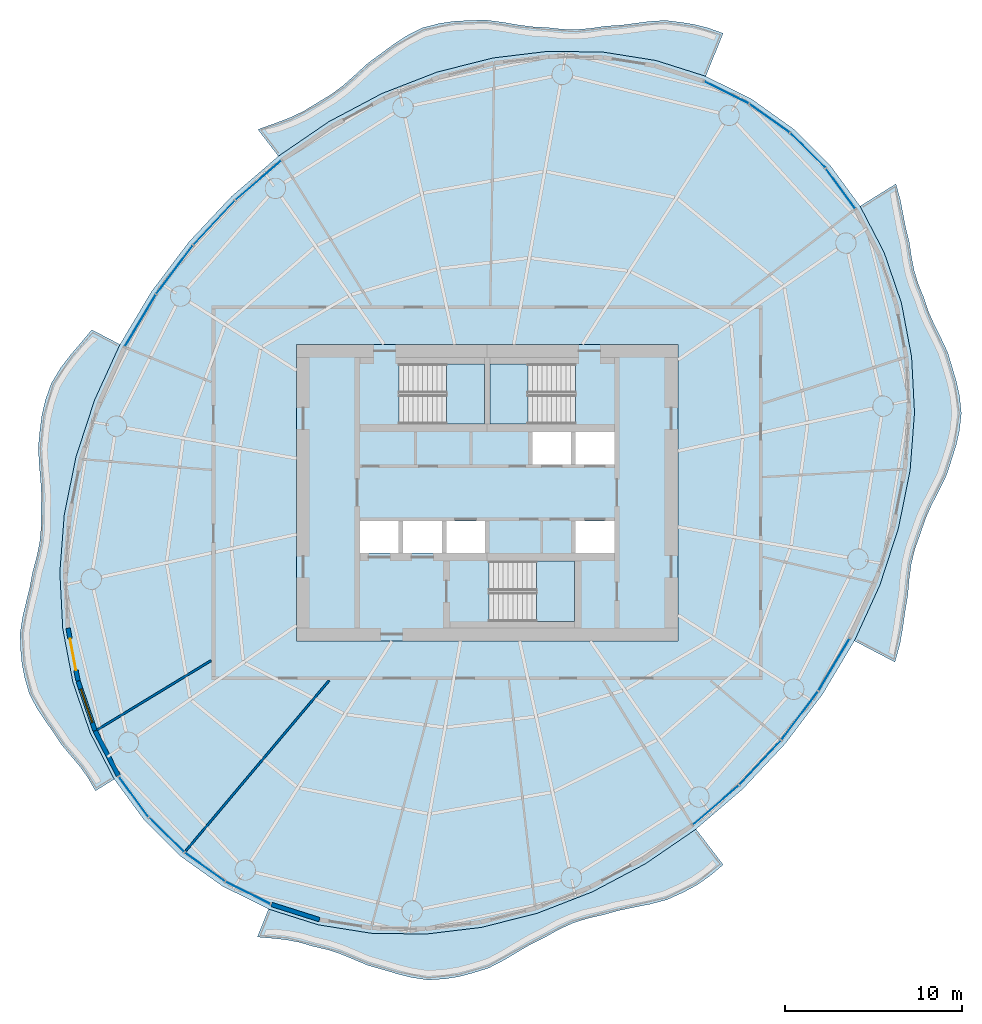
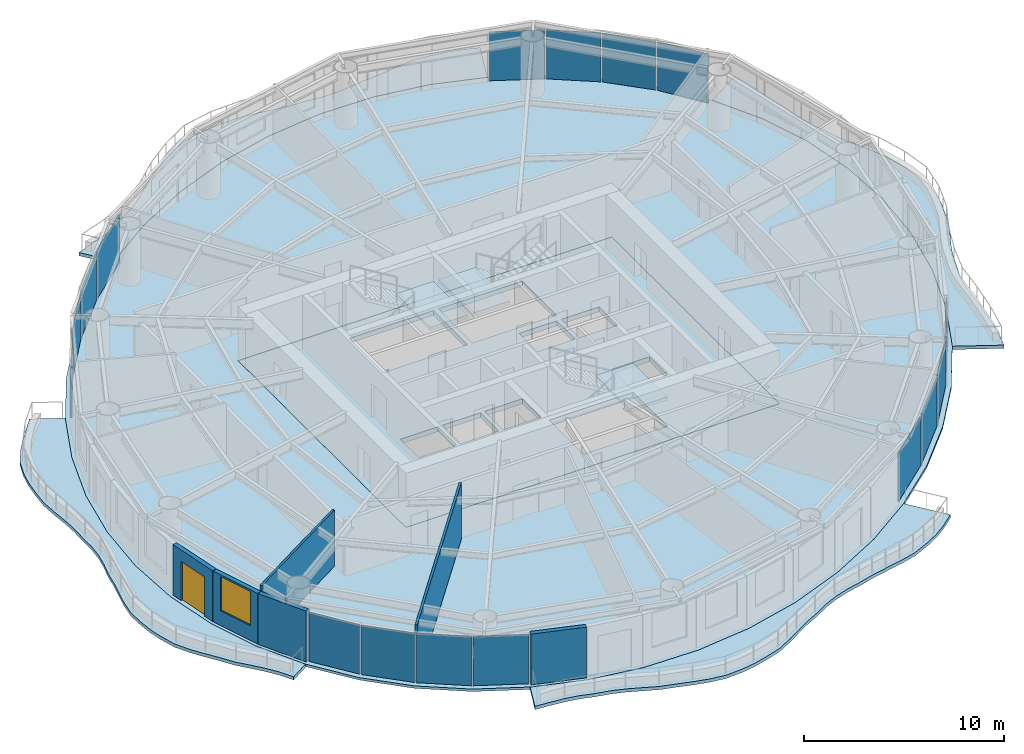
# One storey, part 7 of 14: 16 plates, 9 slabs, 6 walls, 1 door, 1 window, 2 openings, 19 elements without a shape of their own.
"""IFC4 building model written with IfcOpenShell, lengths in metres."""

import ifcopenshell
import ifcopenshell.guid

model = None  # the IFC model being written
_history = None  # IfcOwnerHistory: only IFC2X3 demands one
_inside = {}  # id of a spatial element -> (the spatial element, [elements in it])
_under = {}  # id of a project, library or spatial element -> (it, [spatial elements below it])
_declared = {}  # id of a project -> (the project, [libraries it declares])
_typed = {}  # id of a type object -> (the type object, [elements of that type])
_made_of = {}  # id of a material, layer set ... -> (it, [elements and type objects made of it])


def new_model(schema):
    """Start an empty IFC model of exactly this schema.

    Asked for "IFC4X3", IfcOpenShell would pick the latest addendum, in which some entities
    have other attributes; the version numbers below select the first issue.
    IFC2X3 requires an IfcOwnerHistory on every rooted entity: one is made here for all.
    """
    global model, _history
    if schema == "IFC4X3":
        model = ifcopenshell.file(schema_version=(4, 3, 0, 0))
    else:
        model = ifcopenshell.file(schema=schema)
    _inside.clear()
    _under.clear()
    _declared.clear()
    _typed.clear()
    _made_of.clear()
    _history = None
    if model.schema == "IFC2X3":
        org = make("IfcOrganization", Name="unknown")
        user = make(
            "IfcPersonAndOrganization",
            ThePerson=make("IfcPerson", FamilyName="unknown"),
            TheOrganization=org,
        )
        app = make(
            "IfcApplication",
            ApplicationDeveloper=org,
            Version="unknown",
            ApplicationFullName="unknown",
            ApplicationIdentifier="unknown",
        )
        _history = make(
            "IfcOwnerHistory",
            OwningUser=user,
            OwningApplication=app,
            ChangeAction="ADDED",
            CreationDate=0,
        )
    return model


def make(cls, **values):
    """One entity of the class cls with the attributes given. An attribute that is None is left unset."""
    return model.create_entity(
        cls, **{name: value for name, value in values.items() if value is not None}
    )


def rooted(cls, **values):
    """An entity with a GlobalId (a new one), such as an element, a storey or a relation."""
    return make(cls, GlobalId=ifcopenshell.guid.new(), OwnerHistory=_history, **values)


def si_unit(unit_type, name, prefix=None):
    """IfcSIUnit, for example si_unit("LENGTHUNIT", "METRE", prefix="MILLI")."""
    return make("IfcSIUnit", UnitType=unit_type, Prefix=prefix, Name=name)


def assignment(units):
    """IfcUnitAssignment: the units of a project."""
    return None if units is None else make("IfcUnitAssignment", Units=units)


def point(xyz):
    """IfcCartesianPoint."""
    return None if xyz is None else make("IfcCartesianPoint", Coordinates=xyz)


def direction(xyz):
    """IfcDirection."""
    return None if xyz is None else make("IfcDirection", DirectionRatios=xyz)


def frame(location, z_axis=None, x_axis=None):
    """IfcAxis2Placement3D, a coordinate frame: its origin and axes. An axis left out is left unset."""
    return make(
        "IfcAxis2Placement3D",
        Location=point(location),
        Axis=direction(z_axis),
        RefDirection=direction(x_axis),
    )


def frame_2d(location, x_axis=None):
    """IfcAxis2Placement2D, a coordinate frame in the plane: its origin and x axis."""
    return make(
        "IfcAxis2Placement2D", Location=point(location), RefDirection=direction(x_axis)
    )


def origin():
    """The frame at (0, 0, 0) with its axes left unset."""
    return frame((0.0, 0.0, 0.0))


def origin_2d():
    """The frame at (0, 0) in the plane with its x axis left unset."""
    return frame_2d((0.0, 0.0))


def place(relative_to, where):
    """IfcLocalPlacement: puts the frame where relative to a parent placement (None: the world)."""
    return make(
        "IfcLocalPlacement", PlacementRelTo=relative_to, RelativePlacement=where
    )


def context(
    kind, dimensions, precision=None, world=None, true_north=None, identifier=None
):
    """IfcGeometricRepresentationContext, for example the 3D "Model" context."""
    return make(
        "IfcGeometricRepresentationContext",
        ContextIdentifier=identifier,
        ContextType=kind,
        CoordinateSpaceDimension=dimensions,
        Precision=precision,
        WorldCoordinateSystem=world,
        TrueNorth=true_north,
    )


def subcontext(parent, identifier, kind, view, scale=None):
    """IfcGeometricRepresentationSubContext, for example "Body" below "Model"."""
    return make(
        "IfcGeometricRepresentationSubContext",
        ContextIdentifier=identifier,
        ContextType=kind,
        ParentContext=parent,
        TargetScale=scale,
        TargetView=view,
    )


def project(units=None, contexts=None):
    """IfcProject with its units and contexts."""
    return rooted(
        "IfcProject",
        Name="project",
        RepresentationContexts=contexts,
        UnitsInContext=assignment(units),
    )


def spatial(cls, under=None, at=None, **own):
    """A site, building, storey or space (cls), placed at a placement, below another one or the project."""
    s = rooted(cls, ObjectPlacement=at, **own)
    if under is not None:
        _under.setdefault(under.id(), (under, []))[1].append(s)
    return s


def polyline(points):
    """IfcPolyline through the points."""
    return make("IfcPolyline", Points=[point(p) for p in points])


def profile(cls, at=None, kind="AREA", **sizes):
    """A parametric profile (cls). Its sizes go by their IFC names, for example OverallWidth=200.0."""
    return make(cls, ProfileType=kind, Position=at, **sizes)


def rectangle(**sizes):
    """IfcRectangleProfileDef."""
    return profile("IfcRectangleProfileDef", **sizes)


def outline(outer, holes=None, kind="AREA"):
    """IfcArbitraryClosedProfileDef: a profile drawn as a closed curve; with holes, ...WithVoids."""
    if holes is None:
        return make("IfcArbitraryClosedProfileDef", ProfileType=kind, OuterCurve=outer)
    return make(
        "IfcArbitraryProfileDefWithVoids",
        ProfileType=kind,
        OuterCurve=outer,
        InnerCurves=holes,
    )


def extrude(swept, where, along, depth):
    """IfcExtrudedAreaSolid: the profile swept, set in the frame where, extruded along a direction by depth."""
    return make(
        "IfcExtrudedAreaSolid",
        SweptArea=swept,
        Position=where,
        ExtrudedDirection=direction(along),
        Depth=depth,
    )


def shape(context_of_items, identifier, shape_type, items):
    """IfcShapeRepresentation: the items that make up one representation, for example the "Body"."""
    return make(
        "IfcShapeRepresentation",
        ContextOfItems=context_of_items,
        RepresentationIdentifier=identifier,
        RepresentationType=shape_type,
        Items=items,
    )


def material(Name=None, Category=None):
    """IfcMaterial."""
    return make("IfcMaterial", Name=Name, Category=Category)


def layer(
    of_material, thickness, ventilated=None, Name=None, Category=None, Priority=None
):
    """IfcMaterialLayer: one layer of a wall or slab, of a material (None: an air gap)."""
    return make(
        "IfcMaterialLayer",
        Material=of_material,
        LayerThickness=thickness,
        IsVentilated=ventilated,
        Name=Name,
        Category=Category,
        Priority=Priority,
    )


def layer_set(layers, Name=None):
    """IfcMaterialLayerSet."""
    return make("IfcMaterialLayerSet", MaterialLayers=layers, LayerSetName=Name)


def made_of(thing, what):
    """Note that an element or type object is made of a material, layer set ...; save() writes the relation."""
    if what is not None:
        _made_of.setdefault(what.id(), (what, []))[1].append(thing)
    return thing


def type_object(cls, material=None, **own):
    """A type object (cls), such as IfcWallType, which elements share."""
    return made_of(rooted(cls, **own), material)


def element(
    cls,
    number,
    at=None,
    inside=None,
    cuts=None,
    type_object=None,
    material=None,
    context=None,
    identifier="Body",
    shape_type=None,
    held_by="IfcProductDefinitionShape",
    body=None,
    shapes=None,
    **own,
):
    """One element of the class cls, such as IfcWall. Its Tag is "e" and its number.

    at: its placement. inside: the storey or other place that contains it. cuts: it is an
    opening in that element (IfcRelVoidsElement). A single representation is given by context,
    identifier, shape_type and body (its items); several are given by shapes. held_by: the class
    of the entity that holds the representations. save() writes the other relations.
    """
    e = rooted(cls, Tag="e%d" % number, ObjectPlacement=at, **own)
    if body is not None:
        shapes = [shape(context, identifier, shape_type, body)]
    if shapes is not None:
        e.Representation = make(held_by, Representations=shapes)
    if inside is not None:
        _inside.setdefault(inside.id(), (inside, []))[1].append(e)
    if cuts is not None:
        rooted(
            "IfcRelVoidsElement", RelatingBuildingElement=cuts, RelatedOpeningElement=e
        )
    if type_object is not None:
        _typed.setdefault(type_object.id(), (type_object, []))[1].append(e)
    return made_of(e, material)


def fill(opening, filler):
    """IfcRelFillsElement: the door or window that sits in an opening."""
    return rooted(
        "IfcRelFillsElement",
        RelatingOpeningElement=opening,
        RelatedBuildingElement=filler,
    )


def aggregate(whole, parts):
    """IfcRelAggregates: a whole, such as a stair, and the parts it consists of."""
    return rooted("IfcRelAggregates", RelatingObject=whole, RelatedObjects=parts)


def save(model, path):
    """Write the relations noted so far, then the file.

    IfcRelAggregates (storeys below a building ...), IfcRelContainedInSpatialStructure (elements
    in a storey), IfcRelDefinesByType, IfcRelAssociatesMaterial and IfcRelDeclares: one each for
    every whole, place, type object, material and project.
    """
    for whole, parts in _under.values():
        aggregate(whole, parts)
    for where, things in _inside.values():
        rooted(
            "IfcRelContainedInSpatialStructure",
            RelatedElements=things,
            RelatingStructure=where,
        )
    for kind, things in _typed.values():
        rooted("IfcRelDefinesByType", RelatedObjects=things, RelatingType=kind)
    for what, things in _made_of.values():
        rooted("IfcRelAssociatesMaterial", RelatedObjects=things, RelatingMaterial=what)
    for by, libraries in _declared.values():
        rooted("IfcRelDeclares", RelatingContext=by, RelatedDefinitions=libraries)
    model.write(path)


model = new_model("IFC4")

# Units and contexts
model_context = context("Model", 3, precision=1e-05, world=origin(), true_north=direction((0.0, 1.0)))
body_context = subcontext(model_context, "Body", "Model", "MODEL_VIEW")
ifc_project = project(units=[si_unit("LENGTHUNIT", "METRE"), si_unit("AREAUNIT", "SQUARE_METRE"), si_unit("VOLUMEUNIT", "CUBIC_METRE"), si_unit("PLANEANGLEUNIT", "RADIAN"), si_unit("MASSUNIT", "GRAM", prefix="KILO")], contexts=[model_context])

# Site, building, storey
site_placement = place(None, origin())
site = spatial("IfcSite", under=ifc_project, at=site_placement, CompositionType="ELEMENT")
building_placement = place(site_placement, origin())
building = spatial("IfcBuilding", under=site, at=building_placement, Name="Vermilion Reach Broadcast Tower", CompositionType="ELEMENT")
storey_placement = place(building_placement, frame((0.0, 0.0, 231.699951171875)))
storey = spatial("IfcBuildingStorey", under=building, at=storey_placement, Name="L57", CompositionType="ELEMENT", Elevation=231.699951171875)

# Slabs
ifc_material_1 = material(Name="Concrete C40/50", Category="concrete")
ifc_layer_1 = layer(ifc_material_1, 0.199951171875)
ifc_layer_set_1 = layer_set([ifc_layer_1], Name="Balcony slab 200")
slab_type_1 = type_object("IfcSlabType", Name="Balcony slab 200", PredefinedType="FLOOR", material=ifc_layer_set_1)
placement_1 = place(storey_placement, frame((0.0, 0.0, -0.199951171875)))
element("IfcSlab", 1, at=placement_1, inside=storey, type_object=slab_type_1, Name="Balcony slab L57 group 1", PredefinedType="FLOOR", context=body_context, shape_type="SweptSolid", body=[
    extrude(outline(polyline([(6.379150390625, 23.5830078125), (3.55859375, 24.4765625), (0.57421875, 24.951416015625), (-2.522705078125, 24.999267578125), (-5.678955078125, 24.619384765625), (-8.840576171875, 23.818359375), (-11.953857421875, 22.609619140625), (-14.965087890625, 21.01416015625), (-17.822998046875, 19.05908203125), (-18.98486328125, 20.572265625), (-18.04052734375, 20.91015625), (-17.2060546875, 21.2236328125), (-16.41259765625, 21.596923828125), (-15.61279296875, 22.085693359375), (-14.820556640625, 22.560791015625), (-14.13232421875, 23.08154296875), (-13.476806640625, 23.664306640625), (-12.742919921875, 24.335693359375), (-11.952392578125, 24.9130859375), (-11.256103515625, 25.42626953125), (-10.539794921875, 25.8876953125), (-9.644775390625, 26.3349609375), (-8.69873046875, 26.578369140625), (-7.887939453125, 26.698486328125), (-7.05859375, 26.74462890625), (-6.0791015625, 26.770751953125), (-5.122314453125, 26.64599609375), (-4.304931640625, 26.505126953125), (-3.49072265625, 26.392578125), (-2.5927734375, 26.344482421875), (-1.728759765625, 26.249267578125), (-0.954833984375, 26.233154296875), (-0.179443359375, 26.295166015625), (0.7021484375, 26.425537109375), (1.58251953125, 26.480224609375), (2.363525390625, 26.58154296875), (3.1455078125, 26.68896484375), (4.096435546875, 26.750732421875), (5.017822265625, 26.6337890625), (5.75634765625, 26.515380859375), (6.474365234375, 26.332275390625), (7.36376953125, 26.01904296875), (6.379150390625, 23.5830078125)])), origin(), (0.0, 0.0, 1.0), 0.199951171875),
])
element("IfcSlab", 2, at=placement_1, inside=storey, type_object=slab_type_1, Name="Balcony slab L57 group 2", PredefinedType="FLOOR", context=body_context, shape_type="SweptSolid", body=[
    extrude(outline(polyline([(-26.79931640625, 8.39208984375), (-28.237060546875, 5.241943359375), (-29.29443359375, 2.00244140625), (-29.953369140625, -1.271728515625), (-30.202392578125, -4.523681640625), (-30.037109375, -7.698486328125), (-29.460693359375, -10.74169921875), (-28.48291015625, -13.600830078125), (-27.120361328125, -16.227294921875), (-28.185302734375, -16.888916015625), (-28.6005859375, -16.161865234375), (-29.032470703125, -15.552490234375), (-29.515869140625, -14.969970703125), (-30.096435546875, -14.290771484375), (-30.5986328125, -13.526123046875), (-31.055908203125, -12.884033203125), (-31.487548828125, -12.233154296875), (-31.931884765625, -11.394775390625), (-32.1943359375, -10.471435546875), (-32.346435546875, -9.712158203125), (-32.421875, -8.938232421875), (-32.45849609375, -7.989501953125), (-32.3076171875, -7.020751953125), (-32.11474609375, -6.21484375), (-31.916015625, -5.40869140625), (-31.74560546875, -4.5048828125), (-31.504150390625, -3.606201171875), (-31.34326171875, -2.80078125), (-31.26708984375, -1.98876953125), (-31.271728515625, -1.089111328125), (-31.243408203125, -0.160400390625), (-31.291015625, 0.700927734375), (-31.370849609375, 1.568603515625), (-31.42529296875, 2.5625), (-31.33056640625, 3.56298828125), (-31.21484375, 4.421630859375), (-31.017822265625, 5.25341796875), (-30.684326171875, 6.196533203125), (-30.155517578125, 7.0693359375), (-29.61669921875, 7.77490234375), (-29.032470703125, 8.459716796875), (-28.39306640625, 9.22802734375), (-26.79931640625, 8.39208984375)])), origin(), (0.0, 0.0, 1.0), 0.199951171875),
])
element("IfcSlab", 3, at=placement_1, inside=storey, type_object=slab_type_1, Name="Balcony slab L57 group 3", PredefinedType="FLOOR", context=body_context, shape_type="SweptSolid", body=[
    extrude(outline(polyline([(-18.379150390625, -23.5830078125), (-15.55859375, -24.4765625), (-12.57421875, -24.951416015625), (-9.477294921875, -24.999267578125), (-6.321044921875, -24.619384765625), (-3.159423828125, -23.818359375), (-0.046142578125, -22.609619140625), (2.965087890625, -21.01416015625), (5.822998046875, -19.05908203125), (7.366455078125, -21.069091796875), (6.595703125, -21.7216796875), (5.885009765625, -22.21630859375), (5.11962890625, -22.63037109375), (4.195556640625, -23.05029296875), (3.21630859375, -23.307861328125), (2.3427734375, -23.47900390625), (1.473388671875, -23.657958984375), (0.550048828125, -23.913818359375), (-0.354736328125, -24.121826171875), (-1.150390625, -24.379150390625), (-1.912841796875, -24.722412109375), (-2.72509765625, -25.17724609375), (-3.552490234375, -25.586669921875), (-4.28515625, -26.01513671875), (-5.0146484375, -26.455322265625), (-5.89404296875, -26.9140625), (-6.810791015625, -27.203125), (-7.58642578125, -27.408203125), (-8.371826171875, -27.53466796875), (-9.341796875, -27.599365234375), (-10.289794921875, -27.4599609375), (-11.061279296875, -27.264404296875), (-11.83203125, -27.0302734375), (-12.733154296875, -26.781005859375), (-13.573974609375, -26.427490234375), (-14.291748046875, -26.130126953125), (-15.01806640625, -25.8876953125), (-15.84765625, -25.69873046875), (-16.647216796875, -25.4638671875), (-17.37890625, -25.32421875), (-18.129150390625, -25.242919921875), (-19.018798828125, -25.16552734375), (-18.379150390625, -23.5830078125)])), origin(), (0.0, 0.0, 1.0), 0.199951171875),
])
element("IfcSlab", 4, at=placement_1, inside=storey, type_object=slab_type_1, Name="Balcony slab L57 group 4", PredefinedType="FLOOR", context=body_context, shape_type="SweptSolid", body=[
    extrude(outline(polyline([(14.79931640625, -8.39208984375), (16.237060546875, -5.241943359375), (17.29443359375, -2.00244140625), (17.953369140625, 1.271728515625), (18.202392578125, 4.523681640625), (18.037109375, 7.698486328125), (17.460693359375, 10.74169921875), (16.48291015625, 13.600830078125), (15.120361328125, 16.227294921875), (17.151123046875, 17.48876953125), (17.402099609375, 16.57763671875), (17.54638671875, 15.8193359375), (17.689453125, 15.06005859375), (17.904296875, 14.20849609375), (18.03271484375, 13.33251953125), (18.181884765625, 12.5849609375), (18.399658203125, 11.861083984375), (18.718505859375, 11.073974609375), (18.99853515625, 10.244873046875), (19.320556640625, 9.517822265625), (19.681640625, 8.798095703125), (20.082763671875, 7.9443359375), (20.35986328125, 7.0234375), (20.590087890625, 6.23974609375), (20.7578125, 5.45263671875), (20.857177734375, 4.491455078125), (20.74609375, 3.51123046875), (20.565185546875, 2.707275390625), (20.316162109375, 1.908447265625), (20.0126953125, 0.986572265625), (19.574462890625, 0.09375), (19.177734375, -0.677978515625), (18.827880859375, -1.459228515625), (18.534423828125, -2.328369140625), (18.220458984375, -3.20068359375), (18.0205078125, -4.03173828125), (17.902099609375, -4.88916015625), (17.816162109375, -5.85791015625), (17.65185546875, -6.83935546875), (17.52734375, -7.734130859375), (17.369384765625, -8.613525390625), (17.091064453125, -9.59423828125), (14.79931640625, -8.39208984375)])), origin(), (0.0, 0.0, 1.0), 0.199951171875),
])
ifc_material_2 = material(Name="Concrete C40", Category="concrete")
ifc_layer_2 = layer(ifc_material_2, 0.300048828125)
ifc_layer_set_2 = layer_set([ifc_layer_2], Name="Core floor slab 300 mm Concrete C40")
slab_type_2 = type_object("IfcSlabType", Name="Core floor slab 300 mm Concrete C40", PredefinedType="FLOOR", material=ifc_layer_set_2)
slab_5_placement = place(storey_placement, frame((0.0, 0.0, -0.300048828125)))
element("IfcSlab", 5, at=slab_5_placement, inside=storey, type_object=slab_type_2, Name="L57 core floor", PredefinedType="FLOOR", context=body_context, shape_type="SweptSolid", body=[
    extrude(outline(polyline([(-16.800048828125, -8.39990234375), (4.800048828125, -8.39990234375), (4.800048828125, 8.39990234375), (-16.800048828125, 8.39990234375), (-16.800048828125, -8.39990234375)]), holes=[polyline([(-3.433349609375, 1.60009765625), (-1.24169921875, 1.60009765625), (-1.24169921875, 3.429931640625), (-3.433349609375, 3.429931640625), (-3.433349609375, 1.60009765625)]), polyline([(-0.99169921875, 1.60009765625), (1.199951171875, 1.60009765625), (1.199951171875, 3.429931640625), (-0.99169921875, 3.429931640625), (-0.99169921875, 1.60009765625)]), polyline([(-13.199951171875, -3.429931640625), (-11.00830078125, -3.429931640625), (-11.00830078125, -1.60009765625), (-13.199951171875, -1.60009765625), (-13.199951171875, -3.429931640625)]), polyline([(-10.75830078125, -3.429931640625), (-8.566650390625, -3.429931640625), (-8.566650390625, -1.60009765625), (-10.75830078125, -1.60009765625), (-10.75830078125, -3.429931640625)]), polyline([(-8.316650390625, -3.429931640625), (-6.125, -3.429931640625), (-6.125, -1.60009765625), (-8.316650390625, -1.60009765625), (-8.316650390625, -3.429931640625)]), polyline([(-0.99169921875, -3.429931640625), (1.199951171875, -3.429931640625), (1.199951171875, -1.60009765625), (-0.99169921875, -1.60009765625), (-0.99169921875, -3.429931640625)]), polyline([(-10.999267578125, 3.8798828125), (-6.14990234375, 3.8798828125), (-6.14990234375, 7.300048828125), (-10.999267578125, 7.300048828125), (-10.999267578125, 3.8798828125)]), polyline([(-1.000732421875, 7.300048828125), (-5.85009765625, 7.300048828125), (-5.85009765625, 3.8798828125), (-1.000732421875, 3.8798828125), (-1.000732421875, 7.300048828125)]), polyline([(-5.8994140625, -7.300048828125), (-1.050048828125, -7.300048828125), (-1.050048828125, -3.8798828125), (-5.8994140625, -3.8798828125), (-5.8994140625, -7.300048828125)])]), origin(), (0.0, 0.0, 1.0), 0.300048828125),
])

# Stair, slab
ifc_material_3 = material(Name="Concrete C40", Category="concrete")
stair_type = type_object("IfcStairType", Name="Exit stair RC 22 risers 164 mm", PredefinedType="HALF_TURN_STAIR", material=ifc_material_3)
placement_2 = place(storey_placement, origin())
stair_1 = element("IfcStair", 6, at=placement_2, inside=storey, type_object=stair_type, Name="L57 Exit stair ST1", PredefinedType="HALF_TURN_STAIR")
ifc_material_4 = material(Name="Concrete C40", Category="concrete")
ifc_layer_3 = layer(ifc_material_4, 0.199951171875)
ifc_layer_set_3 = layer_set([ifc_layer_3], Name="Exit stair landing Concrete C40")
slab_type_3 = type_object("IfcSlabType", Name="Exit stair landing Concrete C40", PredefinedType="LANDING", material=ifc_layer_set_3)
placement_3 = place(storey_placement, frame((0.0, 0.0, 1.60009765625)))
slab_6 = element("IfcSlab", 7, at=placement_3, type_object=slab_type_3, Name="ST1 landing 1", PredefinedType="LANDING", context=body_context, shape_type="SweptSolid", body=[
    extrude(outline(polyline([(-8.300048828125, 3.8798828125), (-6.14990234375, 3.8798828125), (-6.14990234375, 7.300048828125), (-8.300048828125, 7.300048828125), (-8.300048828125, 3.8798828125)])), origin(), (0.0, 0.0, 1.0), 0.199951171875),
])
aggregate(stair_1, [slab_6])

stair_2 = element("IfcStair", 8, at=placement_2, inside=storey, type_object=stair_type, Name="L57 Exit stair ST2", PredefinedType="HALF_TURN_STAIR")
slab_7 = element("IfcSlab", 9, at=placement_3, type_object=slab_type_3, Name="ST2 landing 1", PredefinedType="LANDING", context=body_context, shape_type="SweptSolid", body=[
    extrude(outline(polyline([(-3.699951171875, 7.300048828125), (-5.85009765625, 7.300048828125), (-5.85009765625, 3.8798828125), (-3.699951171875, 3.8798828125), (-3.699951171875, 7.300048828125)])), origin(), (0.0, 0.0, 1.0), 0.199951171875),
])
aggregate(stair_2, [slab_7])

stair_3 = element("IfcStair", 10, at=placement_2, inside=storey, type_object=stair_type, Name="L57 Exit stair ST3", PredefinedType="HALF_TURN_STAIR")
slab_8 = element("IfcSlab", 11, at=placement_3, type_object=slab_type_3, Name="ST3 landing 1", PredefinedType="LANDING", context=body_context, shape_type="SweptSolid", body=[
    extrude(outline(polyline([(-3.199951171875, -7.300048828125), (-1.050048828125, -7.300048828125), (-1.050048828125, -3.8798828125), (-3.199951171875, -3.8798828125), (-3.199951171875, -7.300048828125)])), origin(), (0.0, 0.0, 1.0), 0.199951171875),
])
aggregate(stair_3, [slab_8])

# Slab
ifc_material_5 = material(Name="Concrete C40", Category="concrete")
ifc_layer_4 = layer(ifc_material_5, 0.14990234375)
ifc_layer_set_4 = layer_set([ifc_layer_4], Name="Floor slab Concrete C40 composite 150")
slab_type_4 = type_object("IfcSlabType", Name="Floor slab Concrete C40 composite 150", PredefinedType="FLOOR", material=ifc_layer_set_4)
slab_9_placement = place(storey_placement, frame((0.0, 0.0, -0.14990234375)))
element("IfcSlab", 12, at=slab_9_placement, inside=storey, type_object=slab_type_4, Name="Floor slab L57", PredefinedType="FLOOR", context=body_context, shape_type="SweptSolid", body=[
    extrude(outline(polyline([(11.340576171875, 20.607421875), (8.98828125, 22.28564453125), (6.379150390625, 23.5830078125), (3.55859375, 24.4765625), (0.57421875, 24.951416015625), (-2.522705078125, 24.999267578125), (-5.678955078125, 24.619384765625), (-8.840576171875, 23.818359375), (-11.953857421875, 22.609619140625), (-14.965087890625, 21.01416015625), (-17.822998046875, 19.05908203125), (-20.478759765625, 16.778076171875), (-22.886474609375, 14.209716796875), (-25.005615234375, 11.3984375), (-26.79931640625, 8.39208984375), (-28.237060546875, 5.241943359375), (-29.29443359375, 2.00244140625), (-29.953369140625, -1.271728515625), (-30.202392578125, -4.523681640625), (-30.037109375, -7.698486328125), (-29.460693359375, -10.74169921875), (-28.48291015625, -13.600830078125), (-27.120361328125, -16.227294921875), (-25.396484375, -18.576171875), (-23.340576171875, -20.607421875), (-20.98828125, -22.28564453125), (-18.379150390625, -23.5830078125), (-15.55859375, -24.4765625), (-12.57421875, -24.951416015625), (-9.477294921875, -24.999267578125), (-6.321044921875, -24.619384765625), (-3.159423828125, -23.818359375), (-0.046142578125, -22.609619140625), (2.965087890625, -21.01416015625), (5.822998046875, -19.05908203125), (8.478759765625, -16.778076171875), (10.886474609375, -14.209716796875), (13.005615234375, -11.3984375), (14.79931640625, -8.39208984375), (16.237060546875, -5.241943359375), (17.29443359375, -2.00244140625), (17.953369140625, 1.271728515625), (18.202392578125, 4.523681640625), (18.037109375, 7.698486328125), (17.460693359375, 10.74169921875), (16.48291015625, 13.600830078125), (15.120361328125, 16.227294921875), (13.396484375, 18.576171875), (11.340576171875, 20.607421875)]), holes=[polyline([(-16.800048828125, -8.39990234375), (4.800048828125, -8.39990234375), (4.800048828125, 8.39990234375), (-16.800048828125, 8.39990234375), (-16.800048828125, -8.39990234375)])]), origin(), (0.0, 0.0, 1.0), 0.14990234375),
])

# Curtain wall, plate
ifc_material_6 = material(Name="Low-e laminated clear glass in aluminium frame", Category="aluminium")
curtain_wall_type = type_object("IfcCurtainWallType", Name="Slot curtain wall", PredefinedType="NOTDEFINED", material=ifc_material_6)
curtain_wall_1 = element("IfcCurtainWall", 13, at=placement_2, inside=storey, type_object=curtain_wall_type, Name="Slot curtain wall L57 46", PredefinedType="NOTDEFINED")
ifc_material_7 = material(Name="Low-e laminated clear glass", Category="glass")
ifc_layer_5 = layer(ifc_material_7, 0.028076171875)
ifc_layer_set_5 = layer_set([ifc_layer_5], Name="Slot glass panel")
plate_type = type_object("IfcPlateType", Name="Slot glass panel", PredefinedType="CURTAIN_PANEL", material=ifc_layer_set_5)
plate_1_placement = place(storey_placement, frame((14.017333984375, 17.224853515625, 0.0), z_axis=(0.0, 0.0, 1.0), x_axis=(-0.591667642311, 0.806181990026, 0.0)))
plate_1 = element("IfcPlate", 14, at=plate_1_placement, type_object=plate_type, Name="Slot glass panel L57 46", PredefinedType="CURTAIN_PANEL", context=body_context, shape_type="SweptSolid", body=[
    extrude(rectangle(XDim=2.78662109375, YDim=0.028076171875, at=origin_2d()), origin(), (0.0, 0.0, 1.0), 3.0),
])
aggregate(curtain_wall_1, [plate_1])

curtain_wall_2 = element("IfcCurtainWall", 15, at=placement_2, inside=storey, type_object=curtain_wall_type, Name="Slot curtain wall L57 47", PredefinedType="NOTDEFINED")
plate_2_placement = place(storey_placement, frame((12.158447265625, 19.379150390625, 0.0), z_axis=(0.0, 0.0, 1.0), x_axis=(-0.711373360412, 0.702814301289, 0.0)))
plate_2 = element("IfcPlate", 16, at=plate_2_placement, type_object=plate_type, Name="Slot glass panel L57 47", PredefinedType="CURTAIN_PANEL", context=body_context, shape_type="SweptSolid", body=[
    extrude(rectangle(XDim=2.76220703125, YDim=0.028076171875, at=origin_2d()), origin(), (0.0, 0.0, 1.0), 3.0),
])
aggregate(curtain_wall_2, [plate_2])

curtain_wall_3 = element("IfcCurtainWall", 17, at=placement_2, inside=storey, type_object=curtain_wall_type, Name="Slot curtain wall L57 00", PredefinedType="NOTDEFINED")
plate_3_placement = place(storey_placement, frame((9.99072265625, 21.203125, 0.0), z_axis=(0.0, 0.0, 1.0), x_axis=(-0.814046925482, 0.580799107363, 0.0)))
plate_3 = element("IfcPlate", 18, at=plate_3_placement, type_object=plate_type, Name="Slot glass panel L57 00", PredefinedType="CURTAIN_PANEL", context=body_context, shape_type="SweptSolid", body=[
    extrude(rectangle(XDim=2.76220703125, YDim=0.028076171875, at=origin_2d()), origin(), (0.0, 0.0, 1.0), 3.0),
])
aggregate(curtain_wall_3, [plate_3])

curtain_wall_4 = element("IfcCurtainWall", 19, at=placement_2, inside=storey, type_object=curtain_wall_type, Name="Slot curtain wall L57 01", PredefinedType="NOTDEFINED")
plate_4_placement = place(storey_placement, frame((7.550537109375, 22.66650390625, 0.0), z_axis=(0.0, 0.0, 1.0), x_axis=(-0.895436540767, 0.445189174913, 0.0)))
plate_4 = element("IfcPlate", 20, at=plate_4_placement, type_object=plate_type, Name="Slot glass panel L57 01", PredefinedType="CURTAIN_PANEL", context=body_context, shape_type="SweptSolid", body=[
    extrude(rectangle(XDim=2.78662109375, YDim=0.028076171875, at=origin_2d()), origin(), (0.0, 0.0, 1.0), 3.0),
])
aggregate(curtain_wall_4, [plate_4])

curtain_wall_5 = element("IfcCurtainWall", 21, at=placement_2, inside=storey, type_object=curtain_wall_type, Name="Slot curtain wall L57 10", PredefinedType="NOTDEFINED")
plate_5_placement = place(storey_placement, frame((-18.955810546875, 17.691162109375, 0.0), z_axis=(0.0, 0.0, 1.0), x_axis=(-0.758561412849, -0.651601552282, 0.0)))
plate_5 = element("IfcPlate", 22, at=plate_5_placement, type_object=plate_type, Name="Slot glass panel L57 10", PredefinedType="CURTAIN_PANEL", context=body_context, shape_type="SweptSolid", body=[
    extrude(rectangle(XDim=3.38818359375, YDim=0.028076171875, at=origin_2d()), origin(), (0.0, 0.0, 1.0), 3.0),
])
aggregate(curtain_wall_5, [plate_5])

curtain_wall_6 = element("IfcCurtainWall", 23, at=placement_2, inside=storey, type_object=curtain_wall_type, Name="Slot curtain wall L57 11", PredefinedType="NOTDEFINED")
plate_6_placement = place(storey_placement, frame((-21.464111328125, 15.288818359375, 0.0), z_axis=(0.0, 0.0, 1.0), x_axis=(-0.683965712423, -0.729514156292, 0.0)))
plate_6 = element("IfcPlate", 24, at=plate_6_placement, type_object=plate_type, Name="Slot glass panel L57 11", PredefinedType="CURTAIN_PANEL", context=body_context, shape_type="SweptSolid", body=[
    extrude(rectangle(XDim=3.408203125, YDim=0.028076171875, at=origin_2d()), origin(), (0.0, 0.0, 1.0), 3.0),
])
aggregate(curtain_wall_6, [plate_6])

curtain_wall_7 = element("IfcCurtainWall", 25, at=placement_2, inside=storey, type_object=curtain_wall_type, Name="Slot curtain wall L57 12", PredefinedType="NOTDEFINED")
plate_7_placement = place(storey_placement, frame((-23.706787109375, 12.623779296875, 0.0), z_axis=(0.0, 0.0, 1.0), x_axis=(-0.601894238348, -0.798575810956, 0.0)))
plate_7 = element("IfcPlate", 26, at=plate_7_placement, type_object=plate_type, Name="Slot glass panel L57 12", PredefinedType="CURTAIN_PANEL", context=body_context, shape_type="SweptSolid", body=[
    extrude(rectangle(XDim=3.408203125, YDim=0.028076171875, at=origin_2d()), origin(), (0.0, 0.0, 1.0), 3.0),
])
aggregate(curtain_wall_7, [plate_7])

curtain_wall_8 = element("IfcCurtainWall", 27, at=placement_2, inside=storey, type_object=curtain_wall_type, Name="Slot curtain wall L57 13", PredefinedType="NOTDEFINED")
plate_8_placement = place(storey_placement, frame((-25.64501953125, 9.74169921875, 0.0), z_axis=(0.0, 0.0, 1.0), x_axis=(-0.512379681858, -0.858759024185, 0.0)))
plate_8 = element("IfcPlate", 28, at=plate_8_placement, type_object=plate_type, Name="Slot glass panel L57 13", PredefinedType="CURTAIN_PANEL", context=body_context, shape_type="SweptSolid", body=[
    extrude(rectangle(XDim=3.38818359375, YDim=0.028076171875, at=origin_2d()), origin(), (0.0, 0.0, 1.0), 3.0),
])
aggregate(curtain_wall_8, [plate_8])

curtain_wall_9 = element("IfcCurtainWall", 29, at=placement_2, inside=storey, type_object=curtain_wall_type, Name="Slot curtain wall L57 22", PredefinedType="NOTDEFINED")
plate_9_placement = place(storey_placement, frame((-26.017333984375, -17.224853515625, 0.0), z_axis=(0.0, 0.0, 1.0), x_axis=(0.591667642311, -0.806181990026, 0.0)))
plate_9 = element("IfcPlate", 30, at=plate_9_placement, type_object=plate_type, Name="Slot glass panel L57 22", PredefinedType="CURTAIN_PANEL", context=body_context, shape_type="SweptSolid", body=[
    extrude(rectangle(XDim=2.78662109375, YDim=0.028076171875, at=origin_2d()), origin(), (0.0, 0.0, 1.0), 3.0),
])
aggregate(curtain_wall_9, [plate_9])

curtain_wall_10 = element("IfcCurtainWall", 31, at=placement_2, inside=storey, type_object=curtain_wall_type, Name="Slot curtain wall L57 23", PredefinedType="NOTDEFINED")
plate_10_placement = place(storey_placement, frame((-24.158447265625, -19.379150390625, 0.0), z_axis=(0.0, 0.0, 1.0), x_axis=(0.711373360412, -0.702814301289, 0.0)))
plate_10 = element("IfcPlate", 32, at=plate_10_placement, type_object=plate_type, Name="Slot glass panel L57 23", PredefinedType="CURTAIN_PANEL", context=body_context, shape_type="SweptSolid", body=[
    extrude(rectangle(XDim=2.76220703125, YDim=0.028076171875, at=origin_2d()), origin(), (0.0, 0.0, 1.0), 3.0),
])
aggregate(curtain_wall_10, [plate_10])

curtain_wall_11 = element("IfcCurtainWall", 33, at=placement_2, inside=storey, type_object=curtain_wall_type, Name="Slot curtain wall L57 24", PredefinedType="NOTDEFINED")
plate_11_placement = place(storey_placement, frame((-21.99072265625, -21.203125, 0.0), z_axis=(0.0, 0.0, 1.0), x_axis=(0.814046925482, -0.580799107363, 0.0)))
plate_11 = element("IfcPlate", 34, at=plate_11_placement, type_object=plate_type, Name="Slot glass panel L57 24", PredefinedType="CURTAIN_PANEL", context=body_context, shape_type="SweptSolid", body=[
    extrude(rectangle(XDim=2.76220703125, YDim=0.028076171875, at=origin_2d()), origin(), (0.0, 0.0, 1.0), 3.0),
])
aggregate(curtain_wall_11, [plate_11])

curtain_wall_12 = element("IfcCurtainWall", 35, at=placement_2, inside=storey, type_object=curtain_wall_type, Name="Slot curtain wall L57 25", PredefinedType="NOTDEFINED")
plate_12_placement = place(storey_placement, frame((-19.550537109375, -22.66650390625, 0.0), z_axis=(0.0, 0.0, 1.0), x_axis=(0.895436540767, -0.445189174913, 0.0)))
plate_12 = element("IfcPlate", 36, at=plate_12_placement, type_object=plate_type, Name="Slot glass panel L57 25", PredefinedType="CURTAIN_PANEL", context=body_context, shape_type="SweptSolid", body=[
    extrude(rectangle(XDim=2.78662109375, YDim=0.028076171875, at=origin_2d()), origin(), (0.0, 0.0, 1.0), 3.0),
])
aggregate(curtain_wall_12, [plate_12])

curtain_wall_13 = element("IfcCurtainWall", 37, at=placement_2, inside=storey, type_object=curtain_wall_type, Name="Slot curtain wall L57 34", PredefinedType="NOTDEFINED")
plate_13_placement = place(storey_placement, frame((6.955810546875, -17.691162109375, 0.0), z_axis=(0.0, 0.0, 1.0), x_axis=(0.758561412849, 0.651601552282, 0.0)))
plate_13 = element("IfcPlate", 38, at=plate_13_placement, type_object=plate_type, Name="Slot glass panel L57 34", PredefinedType="CURTAIN_PANEL", context=body_context, shape_type="SweptSolid", body=[
    extrude(rectangle(XDim=3.38818359375, YDim=0.028076171875, at=origin_2d()), origin(), (0.0, 0.0, 1.0), 3.0),
])
aggregate(curtain_wall_13, [plate_13])

curtain_wall_14 = element("IfcCurtainWall", 39, at=placement_2, inside=storey, type_object=curtain_wall_type, Name="Slot curtain wall L57 35", PredefinedType="NOTDEFINED")
plate_14_placement = place(storey_placement, frame((9.464111328125, -15.288818359375, 0.0), z_axis=(0.0, 0.0, 1.0), x_axis=(0.683965712423, 0.729514156292, 0.0)))
plate_14 = element("IfcPlate", 40, at=plate_14_placement, type_object=plate_type, Name="Slot glass panel L57 35", PredefinedType="CURTAIN_PANEL", context=body_context, shape_type="SweptSolid", body=[
    extrude(rectangle(XDim=3.408203125, YDim=0.028076171875, at=origin_2d()), origin(), (0.0, 0.0, 1.0), 3.0),
])
aggregate(curtain_wall_14, [plate_14])

curtain_wall_15 = element("IfcCurtainWall", 41, at=placement_2, inside=storey, type_object=curtain_wall_type, Name="Slot curtain wall L57 36", PredefinedType="NOTDEFINED")
plate_15_placement = place(storey_placement, frame((11.706787109375, -12.623779296875, 0.0), z_axis=(0.0, 0.0, 1.0), x_axis=(0.601894238348, 0.798575810956, 0.0)))
plate_15 = element("IfcPlate", 42, at=plate_15_placement, type_object=plate_type, Name="Slot glass panel L57 36", PredefinedType="CURTAIN_PANEL", context=body_context, shape_type="SweptSolid", body=[
    extrude(rectangle(XDim=3.408203125, YDim=0.028076171875, at=origin_2d()), origin(), (0.0, 0.0, 1.0), 3.0),
])
aggregate(curtain_wall_15, [plate_15])

curtain_wall_16 = element("IfcCurtainWall", 43, at=placement_2, inside=storey, type_object=curtain_wall_type, Name="Slot curtain wall L57 37", PredefinedType="NOTDEFINED")
plate_16_placement = place(storey_placement, frame((13.64501953125, -9.74169921875, 0.0), z_axis=(0.0, 0.0, 1.0), x_axis=(0.512379681858, 0.858759024185, 0.0)))
plate_16 = element("IfcPlate", 44, at=plate_16_placement, type_object=plate_type, Name="Slot glass panel L57 37", PredefinedType="CURTAIN_PANEL", context=body_context, shape_type="SweptSolid", body=[
    extrude(rectangle(XDim=3.38818359375, YDim=0.028076171875, at=origin_2d()), origin(), (0.0, 0.0, 1.0), 3.0),
])
aggregate(curtain_wall_16, [plate_16])

# Walls
ifc_material_8 = material(Name="Fire-rated plasterboard on steel stud", Category="steel")
ifc_layer_6 = layer(ifc_material_8, 0.125)
ifc_layer_set_6 = layer_set([ifc_layer_6], Name="Partition 125 fire-rated stud")
wall_type_1 = type_object("IfcWallType", Name="Partition 125 fire-rated stud", PredefinedType="PARTITIONING", material=ifc_layer_set_6)
wall_1_placement = place(storey_placement, frame((-28.092041015625, -13.43408203125, 0.0), z_axis=(0.0, 0.0, 1.0), x_axis=(0.854426088505, 0.519572958574, 0.0)))
element("IfcWall", 45, at=wall_1_placement, inside=storey, type_object=wall_type_1, Name="Partition 57.05", PredefinedType="PARTITIONING", context=body_context, shape_type="SweptSolid", body=[
    extrude(rectangle(XDim=7.56005859375, YDim=0.125, at=frame_2d((3.780029296875, 0.0))), origin(), (0.0, 0.0, 1.0), 3.449951171875),
])
wall_2_placement = place(storey_placement, frame((-23.067138671875, -20.2822265625, 0.0), z_axis=(0.0, 0.0, 1.0), x_axis=(0.643851122285, 0.765150790585, 0.0)))
element("IfcWall", 46, at=wall_2_placement, inside=storey, type_object=wall_type_1, Name="Partition 57.06", PredefinedType="PARTITIONING", context=body_context, shape_type="SweptSolid", body=[
    extrude(rectangle(XDim=12.6015625, YDim=0.125, at=frame_2d((6.30078125, 0.0))), origin(), (0.0, 0.0, 1.0), 3.449951171875),
])

# Wall, opening, door
ifc_material_9 = material(Name="Terracotta rainscreen cladding", Category="masonry")
ifc_layer_7 = layer(ifc_material_9, 0.25)
ifc_layer_set_7 = layer_set([ifc_layer_7], Name="Terracotta rainscreen wall 250")
wall_type_2 = type_object("IfcWallType", Name="Terracotta rainscreen wall 250", PredefinedType="SOLIDWALL", material=ifc_layer_set_7)
wall_3_placement = place(storey_placement, frame((-29.737060546875, -7.67529296875, 0.0), z_axis=(0.0, 0.0, 1.0), x_axis=(0.186112401934, -0.982528459561, 0.0)))
wall_3 = element("IfcWall", 47, at=wall_3_placement, inside=storey, type_object=wall_type_2, Name="External wall L57 19", PredefinedType="SOLIDWALL", context=body_context, shape_type="SweptSolid", body=[
    extrude(rectangle(XDim=3.0302734375, YDim=0.25, at=frame_2d((1.51513671875, 0.0))), origin(), (0.0, 0.0, 1.0), 3.10009765625),
])
opening_1_placement = place(wall_3_placement, frame((0.614990234375, 0.0, 0.0)))
opening_1 = element("IfcOpeningElement", 48, at=opening_1_placement, cuts=wall_3, Name="Opening D70", PredefinedType="OPENING", context=body_context, shape_type="SweptSolid", body=[
    extrude(rectangle(XDim=1.800048828125, YDim=2.39990234375, at=frame_2d((0.89990234375, 1.199951171875))), frame((0.0, 0.135009765625, 0.0), z_axis=(0.0, -1.0, 0.0), x_axis=(1.0, 0.0, 0.0)), (0.0, 0.0, 1.0), 0.27001953125),
])
ifc_material_10 = material(Name="Low-e laminated clear glass in aluminium frame", Category="aluminium")
door_type = type_object("IfcDoorType", Name="Balcony sliding door 1800 x 2400", OperationType="DOUBLE_DOOR_SLIDING", PredefinedType="DOOR", material=ifc_material_10)
door_placement = place(opening_1_placement, origin())
door = element("IfcDoor", 49, at=door_placement, inside=storey, type_object=door_type, Name="Balcony door L57 run 05", OperationType="DOUBLE_DOOR_SLIDING", OverallHeight=2.39990234375, OverallWidth=1.800048828125, PredefinedType="DOOR", context=body_context, shape_type="SweptSolid", body=[
    extrude(rectangle(XDim=1.800048828125, YDim=2.39990234375, at=frame_2d((0.89990234375, 1.199951171875))), frame((0.0, 0.02490234375, 0.0), z_axis=(0.0, -1.0, 0.0), x_axis=(1.0, 0.0, 0.0)), (0.0, 0.0, 1.0), 0.050048828125),
])
fill(opening_1, door)

# Wall, opening, window
wall_4_placement = place(storey_placement, frame((-29.16650390625, -10.677490234375, 0.0), z_axis=(0.0, 0.0, 1.0), x_axis=(0.32363701793, -0.946181314879, 0.0)))
wall_4 = element("IfcWall", 50, at=wall_4_placement, inside=storey, type_object=wall_type_2, Name="External wall L57 20", PredefinedType="SOLIDWALL", context=body_context, shape_type="SweptSolid", body=[
    extrude(rectangle(XDim=2.951904296875, YDim=0.25, at=frame_2d((1.47607421875, 0.0))), origin(), (0.0, 0.0, 1.0), 3.10009765625),
])
opening_2_placement = place(wall_4_placement, frame((0.47607421875, 0.0, 0.89990234375)))
opening_2 = element("IfcOpeningElement", 51, at=opening_2_placement, cuts=wall_4, Name="Opening W03", PredefinedType="OPENING", context=body_context, shape_type="SweptSolid", body=[
    extrude(rectangle(XDim=2.0, YDim=2.10009765625, at=frame_2d((1.0, 1.050048828125))), frame((0.0, 0.135009765625, 0.0), z_axis=(0.0, -1.0, 0.0), x_axis=(1.0, 0.0, 0.0)), (0.0, 0.0, 1.0), 0.27001953125),
])
ifc_material_11 = material(Name="Low-e laminated clear glass in aluminium frame", Category="aluminium")
window_type = type_object("IfcWindowType", Name="Punched window 2000 x 2100 sill 900", PartitioningType="SINGLE_PANEL", PredefinedType="WINDOW", material=ifc_material_11)
window_placement = place(opening_2_placement, origin())
window = element("IfcWindow", 52, at=window_placement, inside=storey, type_object=window_type, Name="Window L57 20", OverallHeight=2.10009765625, OverallWidth=2.0, PartitioningType="SINGLE_PANEL", PredefinedType="WINDOW", context=body_context, shape_type="SweptSolid", body=[
    extrude(rectangle(XDim=2.0, YDim=2.10009765625, at=frame_2d((1.0, 1.050048828125))), frame((0.0, 0.030029296875, 0.0), z_axis=(0.0, -1.0, 0.0), x_axis=(1.0, 0.0, 0.0)), (0.0, 0.0, 1.0), 0.06005859375),
])
fill(opening_2, window)

# Walls
wall_5_placement = place(storey_placement, frame((-28.200927734375, -13.494873046875, 0.0), z_axis=(0.0, 0.0, 1.0), x_axis=(0.460447402604, -0.887686988434, 0.0)))
element("IfcWall", 53, at=wall_5_placement, inside=storey, type_object=wall_type_2, Name="External wall L57 21", PredefinedType="SOLIDWALL", context=body_context, shape_type="SweptSolid", body=[
    extrude(rectangle(XDim=2.84521484375, YDim=0.25, at=frame_2d((1.422607421875, 0.0))), origin(), (0.0, 0.0, 1.0), 3.10009765625),
])
wall_6_placement = place(storey_placement, frame((-18.214599609375, -23.3212890625, 0.0), z_axis=(0.0, 0.0, 1.0), x_axis=(0.953313818487, -0.301981395918, 0.0)))
element("IfcWall", 54, at=wall_6_placement, inside=storey, type_object=wall_type_2, Name="External wall L57 26", PredefinedType="SOLIDWALL", context=body_context, shape_type="SweptSolid", body=[
    extrude(rectangle(XDim=2.844970703125, YDim=0.25, at=frame_2d((1.42236328125, 0.0))), origin(), (0.0, 0.0, 1.0), 3.10009765625),
])

save(model, "model.ifc")
